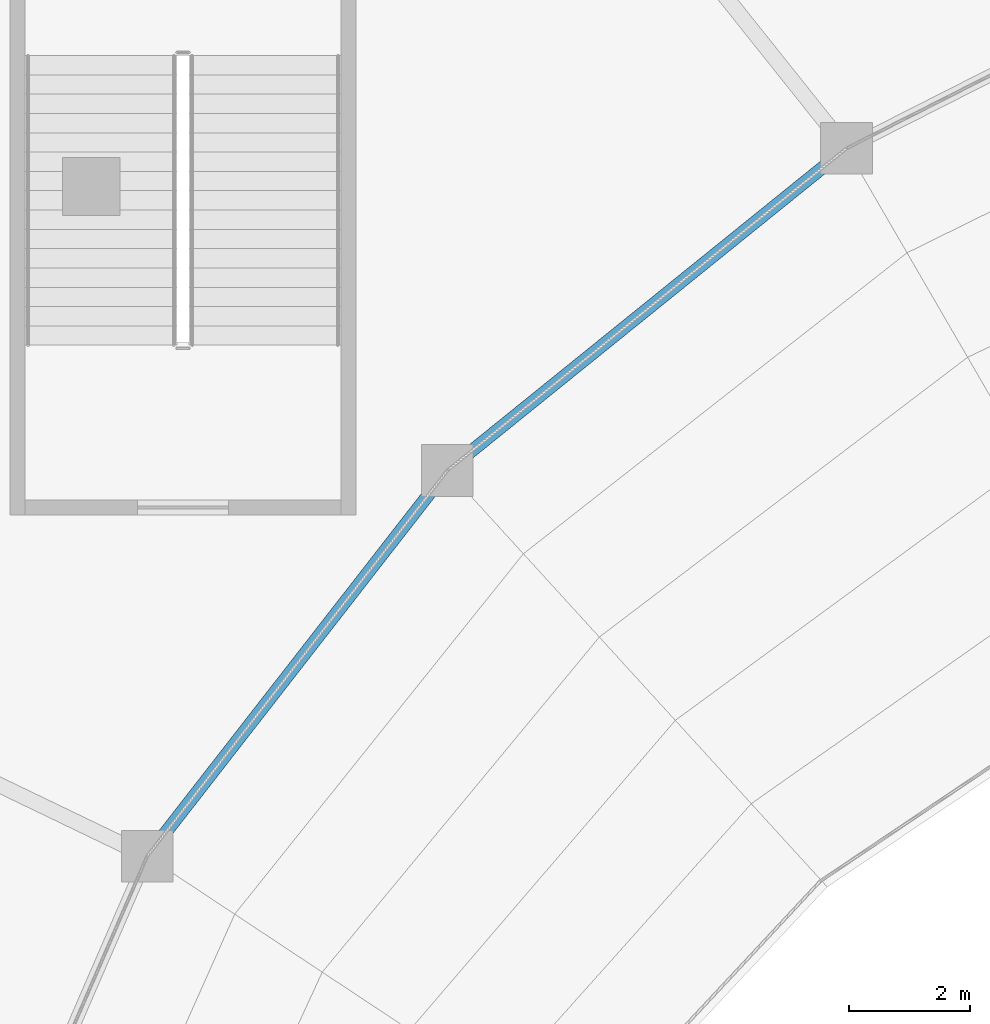
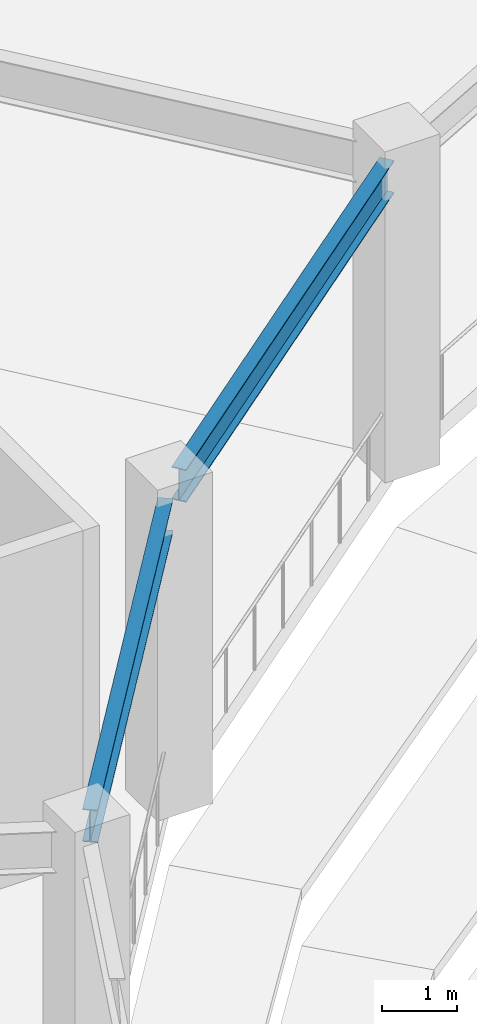
# One storey, part 35 of 120: 2 beams.
"""IFC4 building model written with IfcOpenShell, lengths in metres."""

from ifc_helpers import new_model, si_unit, direction, frame, origin, origin_2d, place, context, subcontext, project, spatial, i_section, extrude, material, material_profile, profile_set, type_object, element, save


model = new_model("IFC4")

# Units and contexts
model_context = context("Model", 3, precision=1e-05, world=origin(), true_north=direction((0.0, 1.0)))
body_context = subcontext(model_context, "Body", "Model", "MODEL_VIEW")
ifc_project = project(units=[si_unit("LENGTHUNIT", "METRE"), si_unit("AREAUNIT", "SQUARE_METRE"), si_unit("VOLUMEUNIT", "CUBIC_METRE"), si_unit("PLANEANGLEUNIT", "RADIAN"), si_unit("MASSUNIT", "GRAM", prefix="KILO")], contexts=[model_context])

# Site, building, storey
site_placement = place(None, origin())
site = spatial("IfcSite", under=ifc_project, at=site_placement, CompositionType="ELEMENT")
building_placement = place(site_placement, origin())
building = spatial("IfcBuilding", under=site, at=building_placement, Name="Cuetzalor Civic Arena", CompositionType="ELEMENT")
storey_placement = place(building_placement, frame((0.0, 0.0, 6.0)))
storey = spatial("IfcBuildingStorey", under=building, at=storey_placement, Name="L01", CompositionType="ELEMENT", Elevation=6.0)

# Beams
ifc_material = material(Name="Steel S355", Category="steel")
ifc_material_profile = material_profile(ifc_material, i_section(OverallWidth=0.208984375, OverallDepth=0.532958984375, WebThickness=0.01025390625, FlangeThickness=0.015625, at=origin_2d()), Name="W530x92")
ifc_profile_set = profile_set([ifc_material_profile], Name="Steel S355")
beam_type = type_object("IfcBeamType", Name="SteelCollarGirder_W530", PredefinedType="BEAM", material=ifc_profile_set)
beam_1_placement = place(storey_placement, frame((-26.15478515625, 25.96533203125, 4.853515625), z_axis=(-0.77812651983, -0.628107569719, 0.0), x_axis=(0.628107569719, -0.77812651983, 0.0)))
element("IfcBeam", 1, at=beam_1_placement, inside=storey, type_object=beam_type, Name="Bowl Inner Ring Girder L01-S11", PredefinedType="BEAM", context=body_context, shape_type="SweptSolid", body=[
    extrude(i_section(OverallWidth=0.208984375, OverallDepth=0.532958984375, WebThickness=0.01025390625, FlangeThickness=0.015625, at=origin_2d()), origin(), (0.0, 0.0, 1.0), 7.725341796875),
])
beam_2_placement = place(storey_placement, frame((-32.6669921875, 20.602783203125, 4.853515625), z_axis=(-0.614261103096, -0.789102843249, 0.0), x_axis=(0.789102843249, -0.614261103096, 0.0)))
element("IfcBeam", 2, at=beam_2_placement, inside=storey, type_object=beam_type, Name="Bowl Inner Ring Girder L01-S12", PredefinedType="BEAM", context=body_context, shape_type="SweptSolid", body=[
    extrude(i_section(OverallWidth=0.208984375, OverallDepth=0.532958984375, WebThickness=0.01025390625, FlangeThickness=0.015625, at=origin_2d()), origin(), (0.0, 0.0, 1.0), 7.329345703125),
])

save(model, "model.ifc")
